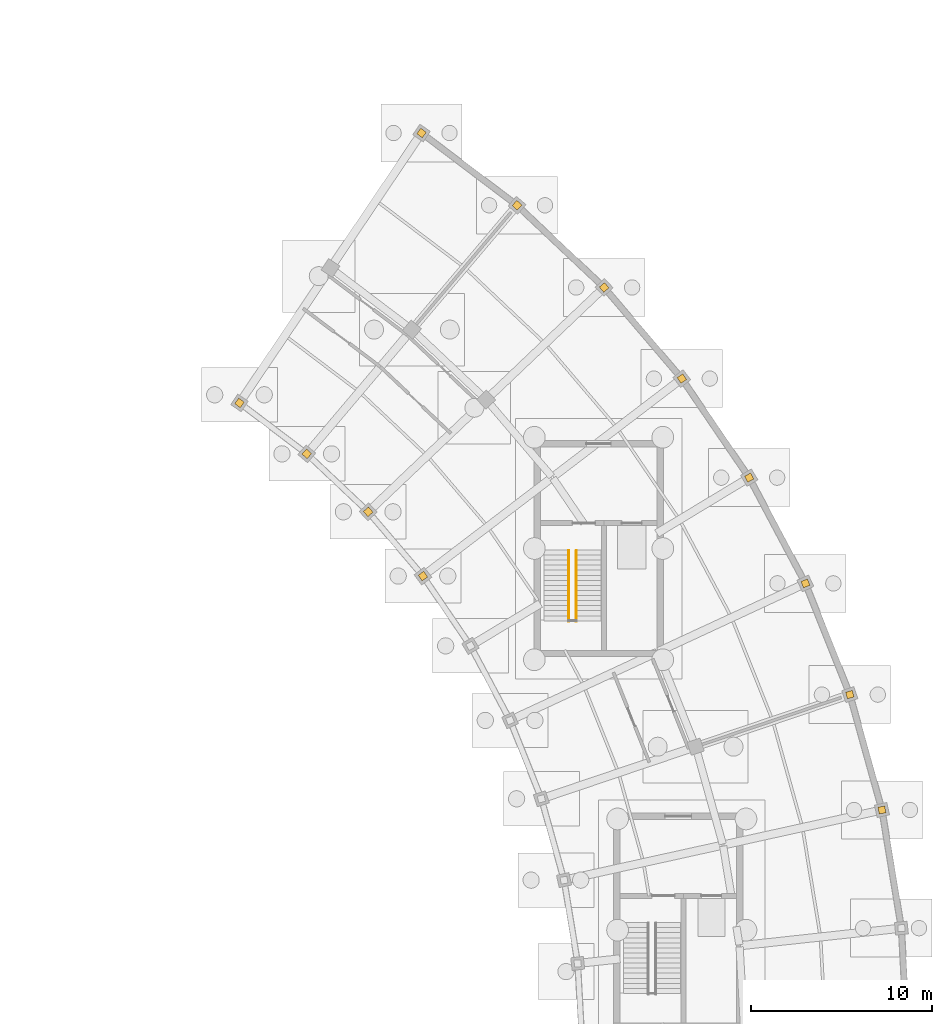
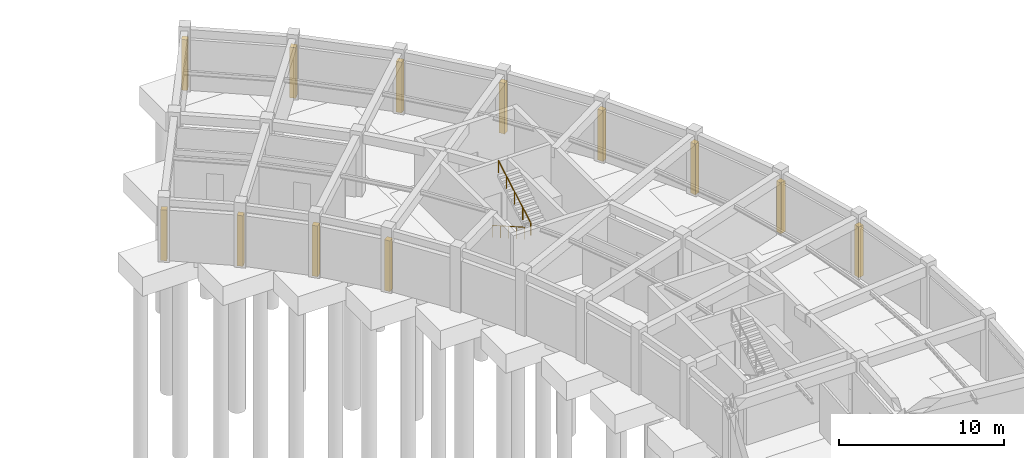
# One storey, part 41 of 42: 12 coverings, 2 railings.
"""IFC4 building model written with IfcOpenShell, lengths in metres."""

import ifcopenshell
import ifcopenshell.guid

model = None  # the IFC model being written
_history = None  # IfcOwnerHistory: only IFC2X3 demands one
_inside = {}  # id of a spatial element -> (the spatial element, [elements in it])
_under = {}  # id of a project, library or spatial element -> (it, [spatial elements below it])
_declared = {}  # id of a project -> (the project, [libraries it declares])
_typed = {}  # id of a type object -> (the type object, [elements of that type])
_made_of = {}  # id of a material, layer set ... -> (it, [elements and type objects made of it])


def new_model(schema):
    """Start an empty IFC model of exactly this schema.

    Asked for "IFC4X3", IfcOpenShell would pick the latest addendum, in which some entities
    have other attributes; the version numbers below select the first issue.
    IFC2X3 requires an IfcOwnerHistory on every rooted entity: one is made here for all.
    """
    global model, _history
    if schema == "IFC4X3":
        model = ifcopenshell.file(schema_version=(4, 3, 0, 0))
    else:
        model = ifcopenshell.file(schema=schema)
    _inside.clear()
    _under.clear()
    _declared.clear()
    _typed.clear()
    _made_of.clear()
    _history = None
    if model.schema == "IFC2X3":
        org = make("IfcOrganization", Name="unknown")
        user = make(
            "IfcPersonAndOrganization",
            ThePerson=make("IfcPerson", FamilyName="unknown"),
            TheOrganization=org,
        )
        app = make(
            "IfcApplication",
            ApplicationDeveloper=org,
            Version="unknown",
            ApplicationFullName="unknown",
            ApplicationIdentifier="unknown",
        )
        _history = make(
            "IfcOwnerHistory",
            OwningUser=user,
            OwningApplication=app,
            ChangeAction="ADDED",
            CreationDate=0,
        )
    return model


def make(cls, **values):
    """One entity of the class cls with the attributes given. An attribute that is None is left unset."""
    return model.create_entity(
        cls, **{name: value for name, value in values.items() if value is not None}
    )


def rooted(cls, **values):
    """An entity with a GlobalId (a new one), such as an element, a storey or a relation."""
    return make(cls, GlobalId=ifcopenshell.guid.new(), OwnerHistory=_history, **values)


def si_unit(unit_type, name, prefix=None):
    """IfcSIUnit, for example si_unit("LENGTHUNIT", "METRE", prefix="MILLI")."""
    return make("IfcSIUnit", UnitType=unit_type, Prefix=prefix, Name=name)


def assignment(units):
    """IfcUnitAssignment: the units of a project."""
    return None if units is None else make("IfcUnitAssignment", Units=units)


def point(xyz):
    """IfcCartesianPoint."""
    return None if xyz is None else make("IfcCartesianPoint", Coordinates=xyz)


def direction(xyz):
    """IfcDirection."""
    return None if xyz is None else make("IfcDirection", DirectionRatios=xyz)


def frame(location, z_axis=None, x_axis=None):
    """IfcAxis2Placement3D, a coordinate frame: its origin and axes. An axis left out is left unset."""
    return make(
        "IfcAxis2Placement3D",
        Location=point(location),
        Axis=direction(z_axis),
        RefDirection=direction(x_axis),
    )


def frame_2d(location, x_axis=None):
    """IfcAxis2Placement2D, a coordinate frame in the plane: its origin and x axis."""
    return make(
        "IfcAxis2Placement2D", Location=point(location), RefDirection=direction(x_axis)
    )


def origin():
    """The frame at (0, 0, 0) with its axes left unset."""
    return frame((0.0, 0.0, 0.0))


def origin_2d():
    """The frame at (0, 0) in the plane with its x axis left unset."""
    return frame_2d((0.0, 0.0))


def place(relative_to, where):
    """IfcLocalPlacement: puts the frame where relative to a parent placement (None: the world)."""
    return make(
        "IfcLocalPlacement", PlacementRelTo=relative_to, RelativePlacement=where
    )


def context(
    kind, dimensions, precision=None, world=None, true_north=None, identifier=None
):
    """IfcGeometricRepresentationContext, for example the 3D "Model" context."""
    return make(
        "IfcGeometricRepresentationContext",
        ContextIdentifier=identifier,
        ContextType=kind,
        CoordinateSpaceDimension=dimensions,
        Precision=precision,
        WorldCoordinateSystem=world,
        TrueNorth=true_north,
    )


def subcontext(parent, identifier, kind, view, scale=None):
    """IfcGeometricRepresentationSubContext, for example "Body" below "Model"."""
    return make(
        "IfcGeometricRepresentationSubContext",
        ContextIdentifier=identifier,
        ContextType=kind,
        ParentContext=parent,
        TargetScale=scale,
        TargetView=view,
    )


def project(units=None, contexts=None):
    """IfcProject with its units and contexts."""
    return rooted(
        "IfcProject",
        Name="project",
        RepresentationContexts=contexts,
        UnitsInContext=assignment(units),
    )


def spatial(cls, under=None, at=None, **own):
    """A site, building, storey or space (cls), placed at a placement, below another one or the project."""
    s = rooted(cls, ObjectPlacement=at, **own)
    if under is not None:
        _under.setdefault(under.id(), (under, []))[1].append(s)
    return s


def profile(cls, at=None, kind="AREA", **sizes):
    """A parametric profile (cls). Its sizes go by their IFC names, for example OverallWidth=200.0."""
    return make(cls, ProfileType=kind, Position=at, **sizes)


def rectangle(**sizes):
    """IfcRectangleProfileDef."""
    return profile("IfcRectangleProfileDef", **sizes)


def circle(**sizes):
    """IfcCircleProfileDef."""
    return profile("IfcCircleProfileDef", **sizes)


def extrude(swept, where, along, depth):
    """IfcExtrudedAreaSolid: the profile swept, set in the frame where, extruded along a direction by depth."""
    return make(
        "IfcExtrudedAreaSolid",
        SweptArea=swept,
        Position=where,
        ExtrudedDirection=direction(along),
        Depth=depth,
    )


def shape(context_of_items, identifier, shape_type, items):
    """IfcShapeRepresentation: the items that make up one representation, for example the "Body"."""
    return make(
        "IfcShapeRepresentation",
        ContextOfItems=context_of_items,
        RepresentationIdentifier=identifier,
        RepresentationType=shape_type,
        Items=items,
    )


def material(Name=None, Category=None):
    """IfcMaterial."""
    return make("IfcMaterial", Name=Name, Category=Category)


def layer(
    of_material, thickness, ventilated=None, Name=None, Category=None, Priority=None
):
    """IfcMaterialLayer: one layer of a wall or slab, of a material (None: an air gap)."""
    return make(
        "IfcMaterialLayer",
        Material=of_material,
        LayerThickness=thickness,
        IsVentilated=ventilated,
        Name=Name,
        Category=Category,
        Priority=Priority,
    )


def layer_set(layers, Name=None):
    """IfcMaterialLayerSet."""
    return make("IfcMaterialLayerSet", MaterialLayers=layers, LayerSetName=Name)


def made_of(thing, what):
    """Note that an element or type object is made of a material, layer set ...; save() writes the relation."""
    if what is not None:
        _made_of.setdefault(what.id(), (what, []))[1].append(thing)
    return thing


def type_object(cls, material=None, **own):
    """A type object (cls), such as IfcWallType, which elements share."""
    return made_of(rooted(cls, **own), material)


def element(
    cls,
    number,
    at=None,
    inside=None,
    cuts=None,
    type_object=None,
    material=None,
    context=None,
    identifier="Body",
    shape_type=None,
    held_by="IfcProductDefinitionShape",
    body=None,
    shapes=None,
    **own,
):
    """One element of the class cls, such as IfcWall. Its Tag is "e" and its number.

    at: its placement. inside: the storey or other place that contains it. cuts: it is an
    opening in that element (IfcRelVoidsElement). A single representation is given by context,
    identifier, shape_type and body (its items); several are given by shapes. held_by: the class
    of the entity that holds the representations. save() writes the other relations.
    """
    e = rooted(cls, Tag="e%d" % number, ObjectPlacement=at, **own)
    if body is not None:
        shapes = [shape(context, identifier, shape_type, body)]
    if shapes is not None:
        e.Representation = make(held_by, Representations=shapes)
    if inside is not None:
        _inside.setdefault(inside.id(), (inside, []))[1].append(e)
    if cuts is not None:
        rooted(
            "IfcRelVoidsElement", RelatingBuildingElement=cuts, RelatedOpeningElement=e
        )
    if type_object is not None:
        _typed.setdefault(type_object.id(), (type_object, []))[1].append(e)
    return made_of(e, material)


def aggregate(whole, parts):
    """IfcRelAggregates: a whole, such as a stair, and the parts it consists of."""
    return rooted("IfcRelAggregates", RelatingObject=whole, RelatedObjects=parts)


def save(model, path):
    """Write the relations noted so far, then the file.

    IfcRelAggregates (storeys below a building ...), IfcRelContainedInSpatialStructure (elements
    in a storey), IfcRelDefinesByType, IfcRelAssociatesMaterial and IfcRelDeclares: one each for
    every whole, place, type object, material and project.
    """
    for whole, parts in _under.values():
        aggregate(whole, parts)
    for where, things in _inside.values():
        rooted(
            "IfcRelContainedInSpatialStructure",
            RelatedElements=things,
            RelatingStructure=where,
        )
    for kind, things in _typed.values():
        rooted("IfcRelDefinesByType", RelatedObjects=things, RelatingType=kind)
    for what, things in _made_of.values():
        rooted("IfcRelAssociatesMaterial", RelatedObjects=things, RelatingMaterial=what)
    for by, libraries in _declared.values():
        rooted("IfcRelDeclares", RelatingContext=by, RelatedDefinitions=libraries)
    model.write(path)


model = new_model("IFC4")

# Units and contexts
model_context = context("Model", 3, precision=1e-05, world=origin(), true_north=direction((0.0, 1.0)))
body_context = subcontext(model_context, "Body", "Model", "MODEL_VIEW")
ifc_project = project(units=[si_unit("LENGTHUNIT", "METRE"), si_unit("AREAUNIT", "SQUARE_METRE"), si_unit("VOLUMEUNIT", "CUBIC_METRE"), si_unit("PLANEANGLEUNIT", "RADIAN"), si_unit("MASSUNIT", "GRAM", prefix="KILO")], contexts=[model_context])

# Site, building, storey
site_placement = place(None, origin())
site = spatial("IfcSite", under=ifc_project, at=site_placement, CompositionType="ELEMENT")
building_placement = place(site_placement, origin())
building = spatial("IfcBuilding", under=site, at=building_placement, Name="Tarnveldt Headland Concert Hall", CompositionType="ELEMENT")
storey_placement = place(building_placement, frame((0.0, 0.0, -4.800048828125)))
storey = spatial("IfcBuildingStorey", under=building, at=storey_placement, Name="B1", CompositionType="ELEMENT", Elevation=-4.800048828125)

# Coverings
ifc_material_1 = material(Name="Coral-toned precast concrete C40/50", Category="concrete")
ifc_layer_1 = layer(ifc_material_1, 0.360107421875, Name="Coral-toned precast concrete C40/50", Category="concrete")
ifc_layer_set_1 = layer_set([ifc_layer_1], Name="Coral-toned precast concrete C40/50")
covering_type = type_object("IfcCoveringType", Name="CV-JNT360", PredefinedType="CLADDING", material=ifc_layer_set_1)
for number, where, z_axis, x_axis, name in (
    (1, (141.54541015625, 95.648681640625, 0.0), (0.0, 0.0, 1.0), (-0.797478637023, 0.603347183213, 0.0), "Precast facade joint closure pilaster B1-75"),
    (2, (145.267333984375, 92.83251953125, 0.0), (0.0, 0.0, 1.0), (-0.727413564262, 0.686199319824, 0.0), "Precast facade joint closure pilaster B1-77"),
    (3, (148.662353515625, 89.62939453125, 0.0), (0.0, 0.0, 1.0), (-0.648651397111, 0.761085648942, 0.0), "Precast facade joint closure pilaster B1-79"),
    (4, (151.61083984375, 110.5712890625, 0.0), (0.0, 0.0, 1.0), (0.797478637023, -0.603347183213, 0.0), "Precast facade joint closure pilaster B1-81"),
    (5, (151.690185546875, 86.077392578125, 0.0), (0.0, 0.0, 1.0), (-0.562372049186, 0.826884319778, 0.0), "Precast facade joint closure pilaster B1-83"),
    (6, (156.89111328125, 106.576416015625, 0.0), (0.0, 0.0, 1.0), (0.727413564262, -0.686199319824, 0.0), "Precast facade joint closure pilaster B1-89"),
    (7, (161.70703125, 102.032470703125, 0.0), (0.0, 0.0, 1.0), (0.648651397111, -0.761085648942, 0.0), "Precast facade joint closure pilaster B1-98"),
    (8, (166.00244140625, 96.993408203125, 0.0), (0.0, 0.0, 1.0), (0.562372049186, -0.826884319778, 0.0), "Precast facade joint closure pilaster B1-100"),
    (9, (169.726318359375, 91.518798828125, 0.0), (0.0, 0.0, 1.0), (0.469471562786, -0.882947592859, 0.0), "Precast facade joint closure pilaster B1-102"),
    (10, (172.834716796875, 85.672607421875, 0.0), (0.0, 0.0, 1.0), (0.371043710237, -0.928615402141, 0.0), "Precast facade joint closure pilaster B1-104"),
    (11, (175.291259765625, 79.523681640625, 0.0), (0.0, 0.0, 1.0), (0.268079200424, -0.963396876837, 0.0), "Precast facade joint closure pilaster B1-106"),
    (12, (177.06689453125, 73.14501953125, 0.0), (0.0, 0.0, 1.0), (0.162120515372, -0.986770965572, 0.0), "Precast facade joint closure pilaster B1-108"),
):
    element("IfcCovering", number, at=place(storey_placement, frame(where, z_axis=z_axis, x_axis=x_axis)), inside=storey, type_object=covering_type, Name=name, PredefinedType="CLADDING", context=body_context, shape_type="SweptSolid", body=[
        extrude(rectangle(XDim=0.3798828125, YDim=0.3798828125, at=origin_2d()), origin(), (0.0, 0.0, 1.0), 3.738037109375),
    ])

# Railings
ifc_material_2 = material(Name="Marine stainless steel", Category="steel")
ifc_layer_2 = layer(ifc_material_2, 0.048095703125, Name="Marine stainless steel", Category="steel")
ifc_layer_set_2 = layer_set([ifc_layer_2], Name="Marine stainless steel")
railing_type = type_object("IfcRailingType", Name="RL-HND092", PredefinedType="HANDRAIL", material=ifc_layer_set_2)
railing_1_placement = place(storey_placement, frame((159.75, 87.47998046875, 0.16015625)))
element("IfcRailing", 13, at=railing_1_placement, inside=storey, type_object=railing_type, Name="HANDRAIL STR-C3-B1 flight 1", PredefinedType="HANDRAIL", context=body_context, shape_type="SweptSolid", body=[
    extrude(circle(Radius=0.02392578125, at=origin_2d()), frame((0.0, 0.0, 0.89599609375), z_axis=(0.0, -0.868239814368, 0.496144761885), x_axis=(1.0, 0.0, 0.0)), (0.0, 0.0, 1.0), 4.514892578125),
    extrude(circle(Radius=0.02099609375, at=origin_2d()), origin(), (0.0, 0.0, 1.0), 0.871826171875),
    extrude(circle(Radius=0.02099609375, at=origin_2d()), frame((0.0, -0.97998046875, 0.56005859375)), (0.0, 0.0, 1.0), 0.871826171875),
    extrude(circle(Radius=0.02099609375, at=origin_2d()), frame((0.0, -1.9599609375, 1.1201171875)), (0.0, 0.0, 1.0), 0.871826171875),
    extrude(circle(Radius=0.02099609375, at=origin_2d()), frame((0.0, -2.93994140625, 1.679931640625)), (0.0, 0.0, 1.0), 0.871826171875),
    extrude(circle(Radius=0.02099609375, at=origin_2d()), frame((0.0, -3.919921875, 2.239990234375)), (0.0, 0.0, 1.0), 0.871826171875),
])
railing_2_placement = place(storey_placement, frame((160.169921875, 83.56005859375, 2.56005859375)))
element("IfcRailing", 14, at=railing_2_placement, inside=storey, type_object=railing_type, Name="HANDRAIL STR-C3-B1 flight 2", PredefinedType="HANDRAIL", context=body_context, shape_type="SweptSolid", body=[
    extrude(circle(Radius=0.02392578125, at=origin_2d()), frame((0.0, 0.0, 0.89599609375), z_axis=(0.0, 0.868239814368, 0.496144761885), x_axis=(-1.0, 0.0, 0.0)), (0.0, 0.0, 1.0), 4.514892578125),
    extrude(circle(Radius=0.02099609375, at=origin_2d()), origin(), (0.0, 0.0, 1.0), 0.871826171875),
    extrude(circle(Radius=0.02099609375, at=origin_2d()), frame((0.0, 0.97998046875, 0.56005859375)), (0.0, 0.0, 1.0), 0.871826171875),
    extrude(circle(Radius=0.02099609375, at=origin_2d()), frame((0.0, 1.9599609375, 1.1201171875)), (0.0, 0.0, 1.0), 0.871826171875),
    extrude(circle(Radius=0.02099609375, at=origin_2d()), frame((0.0, 2.93994140625, 1.679931640625)), (0.0, 0.0, 1.0), 0.871826171875),
    extrude(circle(Radius=0.02099609375, at=origin_2d()), frame((0.0, 3.919921875, 2.239990234375)), (0.0, 0.0, 1.0), 0.871826171875),
])

save(model, "model.ifc")
